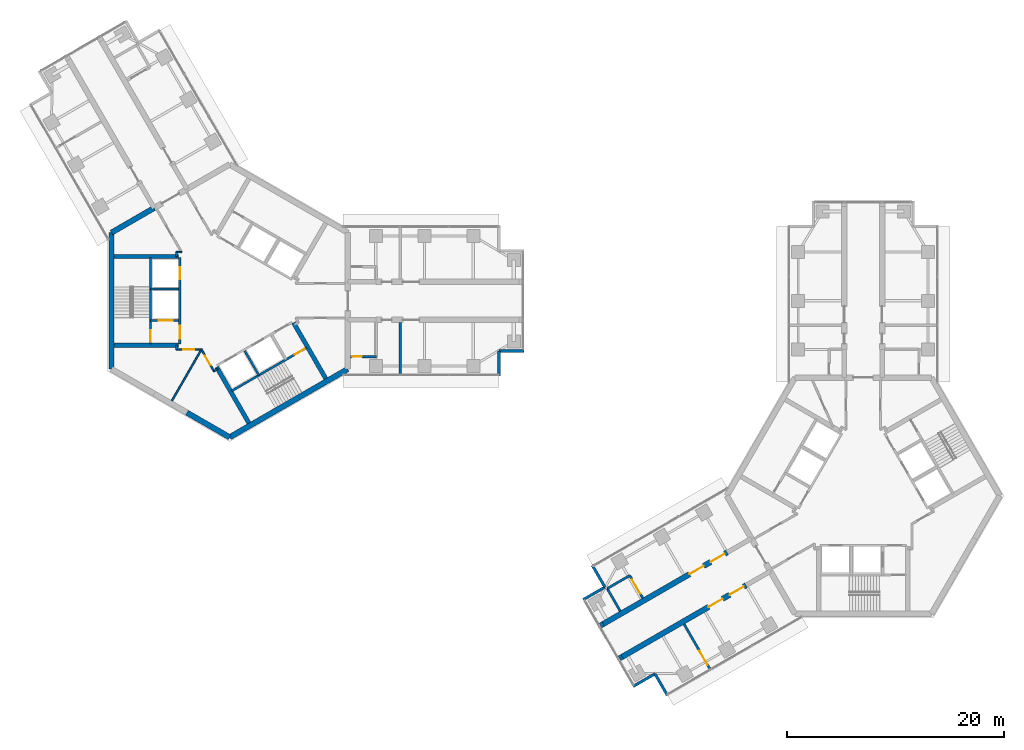
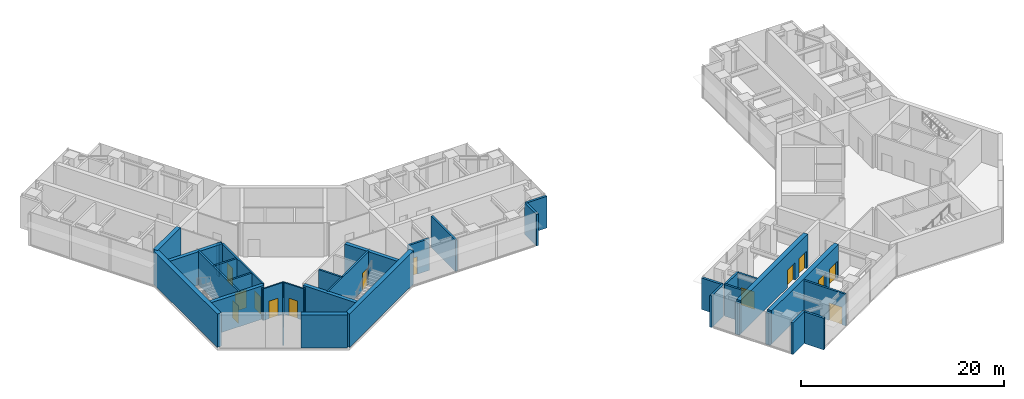
# One storey, part 11 of 17: 37 walls, 14 doors, 14 openings.
"""IFC4 building model written with IfcOpenShell, lengths in metres."""

from ifc_helpers import new_model, si_unit, direction, frame, frame_2d, origin, place, context, subcontext, project, spatial, rectangle, extrude, material, layer, layer_set, type_object, element, fill, save


model = new_model("IFC4")

# Units and contexts
model_context = context("Model", 3, precision=1e-05, world=origin(), true_north=direction((0.0, 1.0)))
body_context = subcontext(model_context, "Body", "Model", "MODEL_VIEW")
ifc_project = project(units=[si_unit("LENGTHUNIT", "METRE"), si_unit("AREAUNIT", "SQUARE_METRE"), si_unit("VOLUMEUNIT", "CUBIC_METRE"), si_unit("PLANEANGLEUNIT", "RADIAN"), si_unit("MASSUNIT", "GRAM", prefix="KILO")], contexts=[model_context])

# Site, building, storey
site_placement = place(None, origin())
site = spatial("IfcSite", under=ifc_project, at=site_placement, CompositionType="ELEMENT")
building_placement = place(site_placement, origin())
building = spatial("IfcBuilding", under=site, at=building_placement, Name="Upepo Twin Towers", CompositionType="ELEMENT")
storey_placement = place(building_placement, frame((0.0, 0.0, 174.5)))
storey = spatial("IfcBuildingStorey", under=building, at=storey_placement, Name="L42", CompositionType="ELEMENT", Elevation=174.5)

# Wall
ifc_material_1 = material(Name="Concrete blockwork, plastered both faces", Category="masonry")
ifc_layer_1 = layer(ifc_material_1, 0.215087890625)
ifc_layer_set_1 = layer_set([ifc_layer_1], Name="Blockwork partition 215")
wall_type_1 = type_object("IfcWallType", Name="Blockwork partition 215", PredefinedType="PARTITIONING", material=ifc_layer_set_1)
wall_1_placement = place(storey_placement, frame((15.75, -2.0, 0.0), z_axis=(0.0, 0.0, 1.0), x_axis=(0.0, -1.0, 0.0)))
element("IfcWall", 1, at=wall_1_placement, inside=storey, type_object=wall_type_1, Name="T1 partition AR at 15.75", PredefinedType="PARTITIONING", context=body_context, shape_type="SweptSolid", body=[
    extrude(rectangle(XDim=4.75, YDim=0.215087890625, at=frame_2d((2.375, 0.0))), origin(), (0.0, 0.0, 1.0), 3.800048828125),
])

# Wall, opening, door
wall_2_placement = place(storey_placement, frame((11.157958984375, -5.14990234375, 0.0), z_axis=(0.0, 0.0, 1.0), x_axis=(1.0, 0.0, 0.0)))
wall_2 = element("IfcWall", 2, at=wall_2_placement, inside=storey, type_object=wall_type_1, Name="T1 WC bay partition AR at 11.16", PredefinedType="PARTITIONING", context=body_context, shape_type="SweptSolid", body=[
    extrude(rectangle(XDim=2.400146484375, YDim=0.215087890625, at=frame_2d((1.2001953125, 0.0))), origin(), (0.0, 0.0, 1.0), 3.800048828125),
])
opening_1_placement = place(wall_2_placement, frame((0.14990234375, 0.0, 0.0)))
opening_1 = element("IfcOpeningElement", 3, at=opening_1_placement, cuts=wall_2, Name="Opening D14", PredefinedType="OPENING", context=body_context, shape_type="SweptSolid", body=[
    extrude(rectangle(XDim=0.89990234375, YDim=2.10009765625, at=frame_2d((0.449951171875, 1.050048828125))), frame((0.0, 0.117431640625, 0.0), z_axis=(0.0, -1.0, 0.0), x_axis=(1.0, 0.0, 0.0)), (0.0, 0.0, 1.0), 0.235107421875),
])
ifc_material_2 = material(Name="Timber doorset", Category="wood")
door_type_1 = type_object("IfcDoorType", Name="Office door 900 FD30", OperationType="SINGLE_SWING_LEFT", PredefinedType="DOOR", material=ifc_material_2)
door_1_placement = place(opening_1_placement, origin())
door_1 = element("IfcDoor", 4, at=door_1_placement, inside=storey, type_object=door_type_1, Name="T1 L42 WC bay inner room door", OperationType="SINGLE_SWING_LEFT", OverallHeight=2.10009765625, OverallWidth=0.89990234375, PredefinedType="DOOR", context=body_context, shape_type="SweptSolid", body=[
    extrude(rectangle(XDim=0.89990234375, YDim=2.10009765625, at=frame_2d((0.449951171875, 1.050048828125))), frame((0.0, 0.02490234375, 0.0), z_axis=(0.0, -1.0, 0.0), x_axis=(1.0, 0.0, 0.0)), (0.0, 0.0, 1.0), 0.050048828125),
])
fill(opening_1, door_1)

wall_3_placement = place(storey_placement, frame((41.962890625, -29.85693359375, 0.0), z_axis=(0.0, 0.0, 1.0), x_axis=(0.499986429846, -0.866033238375, 0.0)))
wall_3 = element("IfcWall", 5, at=wall_3_placement, inside=storey, type_object=wall_type_1, Name="T2 partition BL at 20.25", PredefinedType="PARTITIONING", context=body_context, shape_type="SweptSolid", body=[
    extrude(rectangle(XDim=4.750244140625, YDim=0.215087890625, at=frame_2d((2.375, 0.0))), origin(), (0.0, 0.0, 1.0), 3.800048828125),
])
opening_2_placement = place(wall_3_placement, frame((2.85009765625, 0.0, 0.0)))
opening_2 = element("IfcOpeningElement", 6, at=opening_2_placement, cuts=wall_3, Name="Opening D13", PredefinedType="OPENING", context=body_context, shape_type="SweptSolid", body=[
    extrude(rectangle(XDim=1.5, YDim=2.10009765625, at=frame_2d((0.75, 1.050048828125))), frame((0.0, 0.117431640625, 0.0), z_axis=(0.0, -1.0, 0.0), x_axis=(1.0, 0.0, 0.0)), (0.0, 0.0, 1.0), 0.235107421875),
])
ifc_material_3 = material(Name="Timber doorset", Category="wood")
door_type_2 = type_object("IfcDoorType", Name="Double door 1500 FD30", OperationType="DOUBLE_DOOR_SINGLE_SWING", PredefinedType="DOOR", material=ifc_material_3)
door_2_placement = place(opening_2_placement, origin())
door_2 = element("IfcDoor", 7, at=door_2_placement, inside=storey, type_object=door_type_2, Name="T2 L42 connecting door", OperationType="DOUBLE_DOOR_SINGLE_SWING", OverallHeight=2.10009765625, OverallWidth=1.5, PredefinedType="DOOR", context=body_context, shape_type="SweptSolid", body=[
    extrude(rectangle(XDim=1.5, YDim=2.10009765625, at=frame_2d((0.75, 1.050048828125))), frame((0.0, 0.02490234375, 0.0), z_axis=(0.0, -1.0, 0.0), x_axis=(1.0, 0.0, 0.0)), (0.0, 0.0, 1.0), 0.050048828125),
])
fill(opening_2, door_2)

# Wall
wall_4_placement = place(storey_placement, frame((36.9443359375, -25.364501953125, 0.0), z_axis=(0.0, 0.0, 1.0), x_axis=(-0.866024647952, -0.500001309137, 0.0)))
element("IfcWall", 8, at=wall_4_placement, inside=storey, type_object=wall_type_1, Name="T2 inner room partition BR at 22.35", PredefinedType="PARTITIONING", context=body_context, shape_type="SweptSolid", body=[
    extrude(rectangle(XDim=2.39990234375, YDim=0.215087890625, at=frame_2d((1.199951171875, 0.0))), origin(), (0.0, 0.0, 1.0), 3.800048828125),
])

# Wall, opening, door
wall_5_placement = place(storey_placement, frame((38.144287109375, -27.44287109375, 0.0), z_axis=(0.0, 0.0, 1.0), x_axis=(-0.500001309137, 0.866024647952, 0.0)))
wall_5 = element("IfcWall", 9, at=wall_5_placement, inside=storey, type_object=wall_type_1, Name="T2 inner room partition BR end at 22.35", PredefinedType="PARTITIONING", context=body_context, shape_type="SweptSolid", body=[
    extrude(rectangle(XDim=2.39990234375, YDim=0.215087890625, at=frame_2d((1.199951171875, 0.0))), origin(), (0.0, 0.0, 1.0), 3.800048828125),
])
opening_3_placement = place(wall_5_placement, frame((0.449951171875, 0.0, 0.0)))
opening_3 = element("IfcOpeningElement", 10, at=opening_3_placement, cuts=wall_5, Name="Opening D13", PredefinedType="OPENING", context=body_context, shape_type="SweptSolid", body=[
    extrude(rectangle(XDim=1.5, YDim=2.10009765625, at=frame_2d((0.75, 1.050048828125))), frame((0.0, 0.117431640625, 0.0), z_axis=(0.0, -1.0, 0.0), x_axis=(1.0, 0.0, 0.0)), (0.0, 0.0, 1.0), 0.235107421875),
])
door_3_placement = place(opening_3_placement, origin())
door_3 = element("IfcDoor", 11, at=door_3_placement, inside=storey, type_object=door_type_2, Name="T2 L42 inner room door", OperationType="DOUBLE_DOOR_SINGLE_SWING", OverallHeight=2.10009765625, OverallWidth=1.5, PredefinedType="DOOR", context=body_context, shape_type="SweptSolid", body=[
    extrude(rectangle(XDim=1.5, YDim=2.10009765625, at=frame_2d((0.75, 1.050048828125))), frame((0.0, 0.02490234375, 0.0), z_axis=(0.0, -1.0, 0.0), x_axis=(1.0, 0.0, 0.0)), (0.0, 0.0, 1.0), 0.050048828125),
])
fill(opening_3, door_3)

# Walls
wall_6_placement = place(storey_placement, frame((36.06591796875, -28.64306640625, 0.0), z_axis=(0.0, 0.0, 1.0), x_axis=(-0.499957262057, 0.866050077142, 0.0)))
element("IfcWall", 12, at=wall_6_placement, inside=storey, type_object=wall_type_1, Name="T2 inner room partition BR end at 24.75", PredefinedType="PARTITIONING", context=body_context, shape_type="SweptSolid", body=[
    extrude(rectangle(XDim=2.400146484375, YDim=0.215087890625, at=frame_2d((1.2001953125, 0.0))), origin(), (0.0, 0.0, 1.0), 3.800048828125),
])
ifc_material_4 = material(Name="Dense concrete blockwork", Category="masonry")
ifc_layer_2 = layer(ifc_material_4, 0.5)
ifc_layer_set_2 = layer_set([ifc_layer_2], Name="Buttress closer 500, blockwork with fire-stopping to the curtain wall")
wall_type_2 = type_object("IfcWallType", Name="Buttress closer 500, blockwork with fire-stopping to the curtain wall", PredefinedType="PARTITIONING", material=ifc_layer_set_2)
for number, where, z_axis, x_axis, name in (
    (13, (36.252197265625, -32.865478515625, 0.0), (0.0, 0.0, 1.0), (-0.86598763626, -0.500065409566, 0.0), "T2 L42 wing B buttress closer L"),
    (14, (34.502197265625, -29.83447265625, 0.0), (0.0, 0.0, 1.0), (-0.86598763626, -0.500065409566, 0.0), "T2 L42 wing B buttress closer R"),
):
    element("IfcWall", number, at=place(storey_placement, frame(where, z_axis=z_axis, x_axis=x_axis)), inside=storey, type_object=wall_type_2, Name=name, PredefinedType="PARTITIONING", context=body_context, shape_type="SweptSolid", body=[
        extrude(rectangle(XDim=0.28759765625, YDim=0.5, at=frame_2d((0.143798828125, 0.0))), origin(), (0.0, 0.0, 1.0), 3.800048828125),
    ])

# Wall, openings, doors
ifc_material_5 = material(Name="Concrete C60/75", Category="concrete")
ifc_layer_3 = layer(ifc_material_5, 0.5)
ifc_layer_set_3 = layer_set([ifc_layer_3], Name="Concrete C60/75")
wall_type_3 = type_object("IfcWallType", Name="Buttress wall 500 RC", PredefinedType="SHEAR", material=ifc_layer_set_3)
wall_7_placement = place(storey_placement, frame((47.68359375, -26.265625, 0.0), z_axis=(0.0, 0.0, 1.0), x_axis=(-0.866027579429, -0.499996231654, 0.0)))
wall_7 = element("IfcWall", 15, at=wall_7_placement, inside=storey, type_object=wall_type_3, Name="T2 wing B buttress wall L part 2", PredefinedType="SHEAR", context=body_context, shape_type="SweptSolid", body=[
    extrude(rectangle(XDim=13.19970703125, YDim=0.5, at=frame_2d((6.599853515625, 0.0))), origin(), (0.0, 0.0, 1.0), 4.0),
])
opening_4_placement = place(wall_7_placement, frame((0.25, 0.0, 0.0)))
opening_4 = element("IfcOpeningElement", 16, at=opening_4_placement, cuts=wall_7, Name="Opening D13", PredefinedType="OPENING", context=body_context, shape_type="SweptSolid", body=[
    extrude(rectangle(XDim=1.5, YDim=2.10009765625, at=frame_2d((0.75, 1.050048828125))), frame((0.0, 0.260009765625, 0.0), z_axis=(0.0, -1.0, 0.0), x_axis=(1.0, 0.0, 0.0)), (0.0, 0.0, 1.0), 0.52001953125),
])
opening_5_placement = place(wall_7_placement, frame((2.5, 0.0, 0.0)))
opening_5 = element("IfcOpeningElement", 17, at=opening_5_placement, cuts=wall_7, Name="Opening D13", PredefinedType="OPENING", context=body_context, shape_type="SweptSolid", body=[
    extrude(rectangle(XDim=1.5, YDim=2.10009765625, at=frame_2d((0.75, 1.050048828125))), frame((0.0, 0.260009765625, 0.0), z_axis=(0.0, -1.0, 0.0), x_axis=(1.0, 0.0, 0.0)), (0.0, 0.0, 1.0), 0.52001953125),
])
door_4_placement = place(opening_4_placement, origin())
door_4 = element("IfcDoor", 18, at=door_4_placement, inside=storey, type_object=door_type_2, Name="T2 L42 lecture room door", OperationType="DOUBLE_DOOR_SINGLE_SWING", OverallHeight=2.10009765625, OverallWidth=1.5, PredefinedType="DOOR", context=body_context, shape_type="SweptSolid", body=[
    extrude(rectangle(XDim=1.5, YDim=2.10009765625, at=frame_2d((0.75, 1.050048828125))), frame((0.0, 0.02490234375, 0.0), z_axis=(0.0, -1.0, 0.0), x_axis=(1.0, 0.0, 0.0)), (0.0, 0.0, 1.0), 0.050048828125),
])
fill(opening_4, door_4)
door_5_placement = place(opening_5_placement, origin())
door_5 = element("IfcDoor", 19, at=door_5_placement, inside=storey, type_object=door_type_2, Name="T2 L42 lecture room door", OperationType="DOUBLE_DOOR_SINGLE_SWING", OverallHeight=2.10009765625, OverallWidth=1.5, PredefinedType="DOOR", context=body_context, shape_type="SweptSolid", body=[
    extrude(rectangle(XDim=1.5, YDim=2.10009765625, at=frame_2d((0.75, 1.050048828125))), frame((0.0, 0.02490234375, 0.0), z_axis=(0.0, -1.0, 0.0), x_axis=(1.0, 0.0, 0.0)), (0.0, 0.0, 1.0), 0.050048828125),
])
fill(opening_5, door_5)

wall_8_placement = place(storey_placement, frame((45.93359375, -23.234375, 0.0), z_axis=(0.0, 0.0, 1.0), x_axis=(-0.866019570528, -0.500010103361, 0.0)))
wall_8 = element("IfcWall", 20, at=wall_8_placement, inside=storey, type_object=wall_type_3, Name="T2 wing B buttress wall R part 2", PredefinedType="SHEAR", context=body_context, shape_type="SweptSolid", body=[
    extrude(rectangle(XDim=13.199951171875, YDim=0.5, at=frame_2d((6.60009765625, 0.0))), origin(), (0.0, 0.0, 1.0), 4.0),
])
opening_6_placement = place(wall_8_placement, frame((0.25, 0.0, 0.0)))
opening_6 = element("IfcOpeningElement", 21, at=opening_6_placement, cuts=wall_8, Name="Opening D13", PredefinedType="OPENING", context=body_context, shape_type="SweptSolid", body=[
    extrude(rectangle(XDim=1.5, YDim=2.10009765625, at=frame_2d((0.75, 1.050048828125))), frame((0.0, 0.260009765625, 0.0), z_axis=(0.0, -1.0, 0.0), x_axis=(1.0, 0.0, 0.0)), (0.0, 0.0, 1.0), 0.52001953125),
])
opening_7_placement = place(wall_8_placement, frame((2.5, 0.0, 0.0)))
opening_7 = element("IfcOpeningElement", 22, at=opening_7_placement, cuts=wall_8, Name="Opening D13", PredefinedType="OPENING", context=body_context, shape_type="SweptSolid", body=[
    extrude(rectangle(XDim=1.5, YDim=2.10009765625, at=frame_2d((0.75, 1.050048828125))), frame((0.0, 0.260009765625, 0.0), z_axis=(0.0, -1.0, 0.0), x_axis=(1.0, 0.0, 0.0)), (0.0, 0.0, 1.0), 0.52001953125),
])
door_6_placement = place(opening_6_placement, origin())
door_6 = element("IfcDoor", 23, at=door_6_placement, inside=storey, type_object=door_type_2, Name="T2 L42 lecture room door", OperationType="DOUBLE_DOOR_SINGLE_SWING", OverallHeight=2.10009765625, OverallWidth=1.5, PredefinedType="DOOR", context=body_context, shape_type="SweptSolid", body=[
    extrude(rectangle(XDim=1.5, YDim=2.10009765625, at=frame_2d((0.75, 1.050048828125))), frame((0.0, 0.02490234375, 0.0), z_axis=(0.0, -1.0, 0.0), x_axis=(1.0, 0.0, 0.0)), (0.0, 0.0, 1.0), 0.050048828125),
])
fill(opening_6, door_6)
door_7_placement = place(opening_7_placement, origin())
door_7 = element("IfcDoor", 24, at=door_7_placement, inside=storey, type_object=door_type_2, Name="T2 L42 lecture room door", OperationType="DOUBLE_DOOR_SINGLE_SWING", OverallHeight=2.10009765625, OverallWidth=1.5, PredefinedType="DOOR", context=body_context, shape_type="SweptSolid", body=[
    extrude(rectangle(XDim=1.5, YDim=2.10009765625, at=frame_2d((0.75, 1.050048828125))), frame((0.0, 0.02490234375, 0.0), z_axis=(0.0, -1.0, 0.0), x_axis=(1.0, 0.0, 0.0)), (0.0, 0.0, 1.0), 0.050048828125),
])
fill(opening_7, door_7)

# Walls
ifc_material_6 = material(Name="Concrete C60/75", Category="concrete")
ifc_layer_4 = layer(ifc_material_6, 0.5)
ifc_layer_set_4 = layer_set([ifc_layer_4], Name="Concrete C60/75")
wall_type_4 = type_object("IfcWallType", Name="Core wall 500 RC", PredefinedType="SHEAR", material=ifc_layer_set_4)
wall_9_placement = place(storey_placement, frame((-6.9697265625, 8.57177734375, 0.0), z_axis=(0.0, 0.0, 1.0), x_axis=(-0.866034513004, -0.499984222037, 0.0)))
element("IfcWall", 25, at=wall_9_placement, inside=storey, type_object=wall_type_4, Name="T1 core wall 120 L", PredefinedType="SHEAR", context=body_context, shape_type="SweptSolid", body=[
    extrude(rectangle(XDim=4.548095703125, YDim=0.5, at=frame_2d((2.27392578125, 0.0))), origin(), (0.0, 0.0, 1.0), 4.0),
])
wall_10_placement = place(storey_placement, frame((-10.908447265625, 6.2978515625, 0.0), z_axis=(0.0, 0.0, 1.0), x_axis=(0.0, -1.0, 0.0)))
element("IfcWall", 26, at=wall_10_placement, inside=storey, type_object=wall_type_4, Name="T1 core wall 180", PredefinedType="SHEAR", context=body_context, shape_type="SweptSolid", body=[
    extrude(rectangle(XDim=12.595703125, YDim=0.5, at=frame_2d((6.2978515625, 0.0))), origin(), (0.0, 0.0, 1.0), 4.0),
])
wall_11_placement = place(storey_placement, frame((-3.938720703125, -10.32177734375, 0.0), z_axis=(0.0, 0.0, 1.0), x_axis=(0.866011268655, -0.500024481964, 0.0)))
element("IfcWall", 27, at=wall_11_placement, inside=storey, type_object=wall_type_4, Name="T1 core wall 240 L", PredefinedType="SHEAR", context=body_context, shape_type="SweptSolid", body=[
    extrude(rectangle(XDim=4.548095703125, YDim=0.5, at=frame_2d((2.27392578125, 0.0))), origin(), (0.0, 0.0, 1.0), 4.0),
])
wall_12_placement = place(storey_placement, frame((0.0, -12.595947265625, 0.0), z_axis=(0.0, 0.0, 1.0), x_axis=(0.866021940709, 0.500005998175, 0.0)))
element("IfcWall", 28, at=wall_12_placement, inside=storey, type_object=wall_type_4, Name="T1 core wall 300", PredefinedType="SHEAR", context=body_context, shape_type="SweptSolid", body=[
    extrude(rectangle(XDim=12.595947265625, YDim=0.5, at=frame_2d((6.2978515625, 0.0))), origin(), (0.0, 0.0, 1.0), 4.0),
])
ifc_material_7 = material(Name="Blockwork with anodised aluminium cladding", Category="masonry")
ifc_layer_5 = layer(ifc_material_7, 0.25)
ifc_layer_set_5 = layer_set([ifc_layer_5], Name="Notch cladding wall 250, pale metal")
wall_type_5 = type_object("IfcWallType", Name="Notch cladding wall 250, pale metal", PredefinedType="STANDARD", material=ifc_layer_set_5)
for number, where, z_axis, x_axis, name in (
    (29, (24.875, -6.949951171875, 0.0), (0.0, 0.0, 1.0), (0.0, 1.0, 0.0), "T1 L42 wing A notch wall R1"),
    (30, (24.875, -4.625, 0.0), (0.0, 0.0, 1.0), (1.0, 0.0, 0.0), "T1 L42 wing A notch wall R2"),
    (31, (40.4326171875, -36.456298828125, 0.0), (0.0, 0.0, 1.0), (-0.500046648681, 0.865998469481, 0.0), "T2 L42 wing B notch wall L1"),
    (32, (39.27001953125, -34.44287109375, 0.0), (0.0, 0.0, 1.0), (-0.865998469481, -0.500046648681, 0.0), "T2 L42 wing B notch wall L2"),
    (33, (33.482666015625, -24.418701171875, 0.0), (0.0, 0.0, 1.0), (0.499967891604, -0.866043940782, 0.0), "T2 L42 wing B notch wall R1"),
    (34, (34.64501953125, -26.43212890625, 0.0), (0.0, 0.0, 1.0), (-0.865998469481, -0.500046648681, 0.0), "T2 L42 wing B notch wall R2"),
):
    element("IfcWall", number, at=place(storey_placement, frame(where, z_axis=z_axis, x_axis=x_axis)), inside=storey, type_object=wall_type_5, Name=name, PredefinedType="STANDARD", context=body_context, shape_type="SweptSolid", body=[
        extrude(rectangle(XDim=2.324951171875, YDim=0.25, at=frame_2d((1.16259765625, 0.0))), origin(), (0.0, 0.0, 1.0), 3.800048828125),
    ])

# Wall, openings, doors
ifc_material_8 = material(Name="Concrete C40/50", Category="concrete")
ifc_layer_6 = layer(ifc_material_8, 0.199951171875)
ifc_layer_set_6 = layer_set([ifc_layer_6], Name="Concrete C40/50")
wall_type_6 = type_object("IfcWallType", Name="Shaft wall 200 RC", PredefinedType="SHEAR", material=ifc_layer_set_6)
wall_13_placement = place(storey_placement, frame((-4.60009765625, 4.0, 0.0), z_axis=(0.0, 0.0, 1.0), x_axis=(0.0, -1.0, 0.0)))
wall_13 = element("IfcWall", 35, at=wall_13_placement, inside=storey, type_object=wall_type_6, Name="T1 core W180 front wall", PredefinedType="SHEAR", context=body_context, shape_type="SweptSolid", body=[
    extrude(rectangle(XDim=8.0, YDim=0.199951171875, at=frame_2d((4.0, 0.0))), origin(), (0.0, 0.0, 1.0), 4.0),
])
opening_8_placement = place(wall_13_placement, frame((6.300048828125, 0.0, 0.0)))
opening_8 = element("IfcOpeningElement", 36, at=opening_8_placement, cuts=wall_13, Name="Opening D4", PredefinedType="OPENING", context=body_context, shape_type="SweptSolid", body=[
    extrude(rectangle(XDim=1.199951171875, YDim=2.10009765625, at=frame_2d((0.60009765625, 1.050048828125))), frame((0.0, 0.10986328125, 0.0), z_axis=(0.0, -1.0, 0.0), x_axis=(1.0, 0.0, 0.0)), (0.0, 0.0, 1.0), 0.219970703125),
])
opening_9_placement = place(wall_13_placement, frame((0.89990234375, 0.0, 0.0)))
opening_9 = element("IfcOpeningElement", 37, at=opening_9_placement, cuts=wall_13, Name="Opening LD1", PredefinedType="OPENING", context=body_context, shape_type="SweptSolid", body=[
    extrude(rectangle(XDim=1.10009765625, YDim=2.199951171875, at=frame_2d((0.550048828125, 1.10009765625))), frame((0.0, 0.10986328125, 0.0), z_axis=(0.0, -1.0, 0.0), x_axis=(1.0, 0.0, 0.0)), (0.0, 0.0, 1.0), 0.219970703125),
])
ifc_material_9 = material(Name="Steel doorset", Category="steel")
door_type_3 = type_object("IfcDoorType", Name="Lift landing door 1100", OperationType="DOUBLE_DOOR_SLIDING", PredefinedType="DOOR", material=ifc_material_9)
door_8_placement = place(opening_9_placement, origin())
door_8 = element("IfcDoor", 38, at=door_8_placement, inside=storey, type_object=door_type_3, Name="T1 L42 lift SV1 landing door", OperationType="DOUBLE_DOOR_SLIDING", OverallHeight=2.199951171875, OverallWidth=1.10009765625, PredefinedType="DOOR", context=body_context, shape_type="SweptSolid", body=[
    extrude(rectangle(XDim=1.10009765625, YDim=2.199951171875, at=frame_2d((0.550048828125, 1.10009765625))), frame((0.0, 0.02490234375, 0.0), z_axis=(0.0, -1.0, 0.0), x_axis=(1.0, 0.0, 0.0)), (0.0, 0.0, 1.0), 0.050048828125),
])
fill(opening_9, door_8)
ifc_material_10 = material(Name="Timber doorset", Category="wood")
door_type_4 = type_object("IfcDoorType", Name="Lobby door 1200 FD60", OperationType="SINGLE_SWING_LEFT", PredefinedType="DOOR", material=ifc_material_10)
door_9_placement = place(opening_8_placement, origin())
door_9 = element("IfcDoor", 39, at=door_9_placement, inside=storey, type_object=door_type_4, Name="T1 L42 W180 lobby door", OperationType="SINGLE_SWING_RIGHT", OverallHeight=2.10009765625, OverallWidth=1.199951171875, PredefinedType="DOOR", context=body_context, shape_type="SweptSolid", body=[
    extrude(rectangle(XDim=1.199951171875, YDim=2.10009765625, at=frame_2d((0.60009765625, 1.050048828125))), frame((0.0, 0.02490234375, 0.0), z_axis=(0.0, -1.0, 0.0), x_axis=(1.0, 0.0, 0.0)), (0.0, 0.0, 1.0), 0.050048828125),
])
fill(opening_8, door_9)

# Wall
wall_14_placement = place(storey_placement, frame((-4.699951171875, 1.10009765625, 0.0), z_axis=(0.0, 0.0, 1.0), x_axis=(-1.0, 0.0, 0.0)))
element("IfcWall", 40, at=wall_14_placement, inside=storey, type_object=wall_type_6, Name="T1 core W180 shaft divider", PredefinedType="SHEAR", context=body_context, shape_type="SweptSolid", body=[
    extrude(rectangle(XDim=2.60009765625, YDim=0.199951171875, at=frame_2d((1.300048828125, 0.0))), origin(), (0.0, 0.0, 1.0), 4.0),
])

# Wall, opening, door
wall_15_placement = place(storey_placement, frame((-4.699951171875, -1.800048828125, 0.0), z_axis=(0.0, 0.0, 1.0), x_axis=(-1.0, 0.0, 0.0)))
wall_15 = element("IfcWall", 41, at=wall_15_placement, inside=storey, type_object=wall_type_6, Name="T1 core W180 lobby wall", PredefinedType="SHEAR", context=body_context, shape_type="SweptSolid", body=[
    extrude(rectangle(XDim=2.60009765625, YDim=0.199951171875, at=frame_2d((1.300048828125, 0.0))), origin(), (0.0, 0.0, 1.0), 4.0),
])
opening_10_placement = place(wall_15_placement, frame((0.550048828125, 0.0, 0.0)))
opening_10 = element("IfcOpeningElement", 42, at=opening_10_placement, cuts=wall_15, Name="Opening LD2", PredefinedType="OPENING", context=body_context, shape_type="SweptSolid", body=[
    extrude(rectangle(XDim=1.300048828125, YDim=2.199951171875, at=frame_2d((0.64990234375, 1.10009765625))), frame((0.0, 0.10986328125, 0.0), z_axis=(0.0, -1.0, 0.0), x_axis=(1.0, 0.0, 0.0)), (0.0, 0.0, 1.0), 0.219970703125),
])
ifc_material_11 = material(Name="Steel doorset", Category="steel")
door_type_5 = type_object("IfcDoorType", Name="Firefighting lift landing door 1300", OperationType="DOUBLE_DOOR_SLIDING", PredefinedType="DOOR", material=ifc_material_11)
door_10_placement = place(opening_10_placement, origin())
door_10 = element("IfcDoor", 43, at=door_10_placement, inside=storey, type_object=door_type_5, Name="T1 L42 firefighting lift landing door", OperationType="DOUBLE_DOOR_SLIDING", OverallHeight=2.199951171875, OverallWidth=1.300048828125, PredefinedType="DOOR", context=body_context, shape_type="SweptSolid", body=[
    extrude(rectangle(XDim=1.300048828125, YDim=2.199951171875, at=frame_2d((0.64990234375, 1.10009765625))), frame((0.0, 0.02490234375, 0.0), z_axis=(0.0, -1.0, 0.0), x_axis=(1.0, 0.0, 0.0)), (0.0, 0.0, 1.0), 0.050048828125),
])
fill(opening_10, door_10)

wall_16_placement = place(storey_placement, frame((-7.300048828125, 4.0, 0.0), z_axis=(0.0, 0.0, 1.0), x_axis=(0.0, -1.0, 0.0)))
wall_16 = element("IfcWall", 44, at=wall_16_placement, inside=storey, type_object=wall_type_6, Name="T1 core W180 stair wall", PredefinedType="SHEAR", context=body_context, shape_type="SweptSolid", body=[
    extrude(rectangle(XDim=8.0, YDim=0.199951171875, at=frame_2d((4.0, 0.0))), origin(), (0.0, 0.0, 1.0), 4.0),
])
opening_11_placement = place(wall_16_placement, frame((6.699951171875, 0.0, 0.0)))
opening_11 = element("IfcOpeningElement", 45, at=opening_11_placement, cuts=wall_16, Name="Opening D3", PredefinedType="OPENING", context=body_context, shape_type="SweptSolid", body=[
    extrude(rectangle(XDim=1.10009765625, YDim=2.10009765625, at=frame_2d((0.550048828125, 1.050048828125))), frame((0.0, 0.10986328125, 0.0), z_axis=(0.0, -1.0, 0.0), x_axis=(1.0, 0.0, 0.0)), (0.0, 0.0, 1.0), 0.219970703125),
])
ifc_material_12 = material(Name="Timber doorset", Category="wood")
door_type_6 = type_object("IfcDoorType", Name="Stair door 1100 FD60", OperationType="SINGLE_SWING_LEFT", PredefinedType="DOOR", material=ifc_material_12)
door_11_placement = place(opening_11_placement, origin())
door_11 = element("IfcDoor", 46, at=door_11_placement, inside=storey, type_object=door_type_6, Name="T1 L42 stair door", OperationType="SINGLE_SWING_RIGHT", OverallHeight=2.10009765625, OverallWidth=1.10009765625, PredefinedType="DOOR", context=body_context, shape_type="SweptSolid", body=[
    extrude(rectangle(XDim=1.10009765625, YDim=2.10009765625, at=frame_2d((0.550048828125, 1.050048828125))), frame((0.0, 0.02490234375, 0.0), z_axis=(0.0, -1.0, 0.0), x_axis=(1.0, 0.0, 0.0)), (0.0, 0.0, 1.0), 0.050048828125),
])
fill(opening_11, door_11)

# Wall
wall_17_placement = place(storey_placement, frame((1.3974609375, -4.620361328125, 0.0), z_axis=(0.0, 0.0, 1.0), x_axis=(0.499936506574, -0.866062058628, 0.0)))
element("IfcWall", 47, at=wall_17_placement, inside=storey, type_object=wall_type_6, Name="T1 core W300 shaft divider", PredefinedType="SHEAR", context=body_context, shape_type="SweptSolid", body=[
    extrude(rectangle(XDim=2.599853515625, YDim=0.199951171875, at=frame_2d((1.2998046875, 0.0))), origin(), (0.0, 0.0, 1.0), 4.0),
])

# Wall, opening, door
wall_18_placement = place(storey_placement, frame((0.185791015625, -8.322021484375, 0.0), z_axis=(0.0, 0.0, 1.0), x_axis=(0.866026010844, 0.49999894854, 0.0)))
wall_18 = element("IfcWall", 48, at=wall_18_placement, inside=storey, type_object=wall_type_6, Name="T1 core W300 stair wall", PredefinedType="SHEAR", context=body_context, shape_type="SweptSolid", body=[
    extrude(rectangle(XDim=8.0, YDim=0.199951171875, at=frame_2d((4.0, 0.0))), origin(), (0.0, 0.0, 1.0), 4.0),
])
opening_12_placement = place(wall_18_placement, frame((6.699951171875, 0.0, 0.0)))
opening_12 = element("IfcOpeningElement", 49, at=opening_12_placement, cuts=wall_18, Name="Opening D3", PredefinedType="OPENING", context=body_context, shape_type="SweptSolid", body=[
    extrude(rectangle(XDim=1.10009765625, YDim=2.10009765625, at=frame_2d((0.550048828125, 1.050048828125))), frame((0.0, 0.10986328125, 0.0), z_axis=(0.0, -1.0, 0.0), x_axis=(1.0, 0.0, 0.0)), (0.0, 0.0, 1.0), 0.219970703125),
])
door_12_placement = place(opening_12_placement, origin())
door_12 = element("IfcDoor", 50, at=door_12_placement, inside=storey, type_object=door_type_6, Name="T1 L42 stair door", OperationType="SINGLE_SWING_RIGHT", OverallHeight=2.10009765625, OverallWidth=1.10009765625, PredefinedType="DOOR", context=body_context, shape_type="SweptSolid", body=[
    extrude(rectangle(XDim=1.10009765625, YDim=2.10009765625, at=frame_2d((0.550048828125, 1.050048828125))), frame((0.0, 0.02490234375, 0.0), z_axis=(0.0, -1.0, 0.0), x_axis=(1.0, 0.0, 0.0)), (0.0, 0.0, 1.0), 0.050048828125),
])
fill(opening_12, door_12)

# Walls
ifc_material_13 = material(Name="Concrete C40/50", Category="concrete")
ifc_layer_7 = layer(ifc_material_13, 0.39990234375)
ifc_layer_set_7 = layer_set([ifc_layer_7], Name="Concrete C40/50")
wall_type_7 = type_object("IfcWallType", Name="Shaft wall 400 RC", PredefinedType="SHEAR", material=ifc_layer_set_7)
for number, where, z_axis, x_axis, name in (
    (51, (-4.699951171875, -4.10009765625, 0.0), (0.0, 0.0, 1.0), (-1.0, 0.0, 0.0), "T1 core W180 side wall N"),
    (52, (-4.699951171875, 4.10009765625, 0.0), (0.0, 0.0, 1.0), (-1.0, 0.0, 0.0), "T1 core W180 side wall S"),
    (53, (5.900634765625, -2.020263671875, 0.0), (0.0, 0.0, 1.0), (0.500003832394, -0.86602319114, 0.0), "T1 core W300 side wall N"),
):
    element("IfcWall", number, at=place(storey_placement, frame(where, z_axis=z_axis, x_axis=x_axis)), inside=storey, type_object=wall_type_7, Name=name, PredefinedType="SHEAR", context=body_context, shape_type="SweptSolid", body=[
        extrude(rectangle(XDim=5.95849609375, YDim=0.39990234375, at=frame_2d((2.979248046875, 0.0))), origin(), (0.0, 0.0, 1.0), 4.0),
    ])
wall_19_placement = place(storey_placement, frame((-1.20068359375, -6.120361328125, 0.0), z_axis=(0.0, 0.0, 1.0), x_axis=(0.500021575205, -0.866012946976, 0.0)))
element("IfcWall", 54, at=wall_19_placement, inside=storey, type_object=wall_type_7, Name="T1 core W300 side wall S", PredefinedType="SHEAR", context=body_context, shape_type="SweptSolid", body=[
    extrude(rectangle(XDim=5.958251953125, YDim=0.39990234375, at=frame_2d((2.97900390625, 0.0))), origin(), (0.0, 0.0, 1.0), 4.0),
])
ifc_material_14 = material(Name="Gypsum board on steel studs", Category="steel")
ifc_layer_8 = layer(ifc_material_14, 0.14990234375)
ifc_layer_set_8 = layer_set([ifc_layer_8], Name="Teaching partition 150 acoustic")
wall_type_8 = type_object("IfcWallType", Name="Teaching partition 150 acoustic", PredefinedType="PARTITIONING", material=ifc_layer_set_8)
wall_20_placement = place(storey_placement, frame((-1.092041015625, -6.28857421875, 0.0), z_axis=(0.0, 0.0, 1.0), x_axis=(-0.866138304741, -0.499804398801, 0.0)))
element("IfcWall", 55, at=wall_20_placement, inside=storey, type_object=wall_type_8, Name="T1 core room partition 2", PredefinedType="PARTITIONING", context=body_context, shape_type="SweptSolid", body=[
    extrude(rectangle(XDim=0.429931640625, YDim=0.14990234375, at=frame_2d((0.21484375, 0.0))), origin(), (0.0, 0.0, 1.0), 3.800048828125),
])

# Wall, opening, door
wall_21_placement = place(storey_placement, frame((-1.43701171875, -6.5107421875, 0.0), z_axis=(0.0, 0.0, 1.0), x_axis=(-0.500074377092, 0.865982457891, 0.0)))
wall_21 = element("IfcWall", 56, at=wall_21_placement, inside=storey, type_object=wall_type_8, Name="T1 core room partition 3", PredefinedType="PARTITIONING", context=body_context, shape_type="SweptSolid", body=[
    extrude(rectangle(XDim=2.342041015625, YDim=0.14990234375, at=frame_2d((1.1708984375, 0.0))), origin(), (0.0, 0.0, 1.0), 3.800048828125),
])
opening_13_placement = place(wall_21_placement, frame((0.660888671875, 0.0, 0.0)))
opening_13 = element("IfcOpeningElement", 57, at=opening_13_placement, cuts=wall_21, Name="Opening D1", PredefinedType="OPENING", context=body_context, shape_type="SweptSolid", body=[
    extrude(rectangle(XDim=1.0, YDim=2.10009765625, at=frame_2d((0.5, 1.050048828125))), frame((0.0, 0.0849609375, 0.0), z_axis=(0.0, -1.0, 0.0), x_axis=(1.0, 0.0, 0.0)), (0.0, 0.0, 1.0), 0.169921875),
])
ifc_material_15 = material(Name="Timber doorset", Category="wood")
door_type_7 = type_object("IfcDoorType", Name="Room door 1000 FD30", OperationType="SINGLE_SWING_LEFT", PredefinedType="DOOR", material=ifc_material_15)
door_13_placement = place(opening_13_placement, origin())
door_13 = element("IfcDoor", 58, at=door_13_placement, inside=storey, type_object=door_type_7, Name="T1 L42 core room door K2", OperationType="SINGLE_SWING_LEFT", OverallHeight=2.10009765625, OverallWidth=1.0, PredefinedType="DOOR", context=body_context, shape_type="SweptSolid", body=[
    extrude(rectangle(XDim=1.0, YDim=2.10009765625, at=frame_2d((0.5, 1.050048828125))), frame((0.0, 0.02490234375, 0.0), z_axis=(0.0, -1.0, 0.0), x_axis=(1.0, 0.0, 0.0)), (0.0, 0.0, 1.0), 0.050048828125),
])
fill(opening_13, door_13)

wall_22_placement = place(storey_placement, frame((-2.578125, -4.5, 0.0), z_axis=(0.0, 0.0, 1.0), x_axis=(-1.0, 0.0, 0.0)))
wall_22 = element("IfcWall", 59, at=wall_22_placement, inside=storey, type_object=wall_type_8, Name="T1 core room partition 4", PredefinedType="PARTITIONING", context=body_context, shape_type="SweptSolid", body=[
    extrude(rectangle(XDim=2.341796875, YDim=0.14990234375, at=frame_2d((1.1708984375, 0.0))), origin(), (0.0, 0.0, 1.0), 3.800048828125),
])
opening_14_placement = place(wall_22_placement, frame((0.68115234375, 0.0, 0.0)))
opening_14 = element("IfcOpeningElement", 60, at=opening_14_placement, cuts=wall_22, Name="Opening D1", PredefinedType="OPENING", context=body_context, shape_type="SweptSolid", body=[
    extrude(rectangle(XDim=1.0, YDim=2.10009765625, at=frame_2d((0.5, 1.050048828125))), frame((0.0, 0.0849609375, 0.0), z_axis=(0.0, -1.0, 0.0), x_axis=(1.0, 0.0, 0.0)), (0.0, 0.0, 1.0), 0.169921875),
])
door_14_placement = place(opening_14_placement, origin())
door_14 = element("IfcDoor", 61, at=door_14_placement, inside=storey, type_object=door_type_7, Name="T1 L42 core room door K1", OperationType="SINGLE_SWING_RIGHT", OverallHeight=2.10009765625, OverallWidth=1.0, PredefinedType="DOOR", context=body_context, shape_type="SweptSolid", body=[
    extrude(rectangle(XDim=1.0, YDim=2.10009765625, at=frame_2d((0.5, 1.050048828125))), frame((0.0, 0.02490234375, 0.0), z_axis=(0.0, -1.0, 0.0), x_axis=(1.0, 0.0, 0.0)), (0.0, 0.0, 1.0), 0.050048828125),
])
fill(opening_14, door_14)

# Walls
for number, where, z_axis, x_axis, name in (
    (62, (-4.89990234375, -4.52001953125, 0.0), (0.0, 0.0, 1.0), (0.0, 1.0, 0.0), "T1 core room partition 5"),
    (63, (-4.89990234375, 4.090087890625, 0.0), (0.0, 0.0, 1.0), (0.0, 1.0, 0.0), "T1 core room partition 6"),
):
    element("IfcWall", number, at=place(storey_placement, frame(where, z_axis=z_axis, x_axis=x_axis)), inside=storey, type_object=wall_type_8, Name=name, PredefinedType="PARTITIONING", context=body_context, shape_type="SweptSolid", body=[
        extrude(rectangle(XDim=0.429931640625, YDim=0.14990234375, at=frame_2d((0.21484375, 0.0))), origin(), (0.0, 0.0, 1.0), 3.800048828125),
    ])
wall_23_placement = place(storey_placement, frame((-4.919921875, 4.5, 0.0), z_axis=(0.0, 0.0, 1.0), x_axis=(1.0, 0.0, 0.0)))
element("IfcWall", 64, at=wall_23_placement, inside=storey, type_object=wall_type_8, Name="T1 core room partition 7", PredefinedType="PARTITIONING", context=body_context, shape_type="SweptSolid", body=[
    extrude(rectangle(XDim=0.494384765625, YDim=0.14990234375, at=frame_2d((0.2470703125, 0.0))), origin(), (0.0, 0.0, 1.0), 3.800048828125),
])
wall_24_placement = place(storey_placement, frame((-2.641357421875, -4.574951171875, 0.0), z_axis=(0.0, 0.0, 1.0), x_axis=(-0.499983231807, -0.866035084688, 0.0)))
element("IfcWall", 65, at=wall_24_placement, inside=storey, type_object=wall_type_8, Name="T1 core room partition 17", PredefinedType="PARTITIONING", context=body_context, shape_type="SweptSolid", body=[
    extrude(rectangle(XDim=5.375732421875, YDim=0.14990234375, at=frame_2d((2.68798828125, 0.0))), origin(), (0.0, 0.0, 1.0), 3.800048828125),
])

save(model, "model.ifc")
